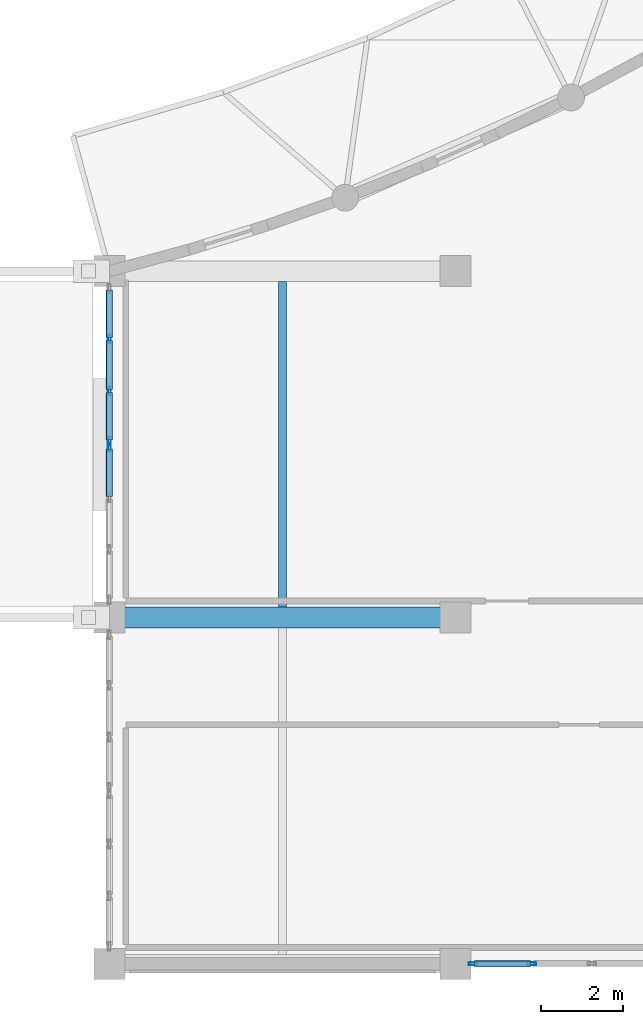
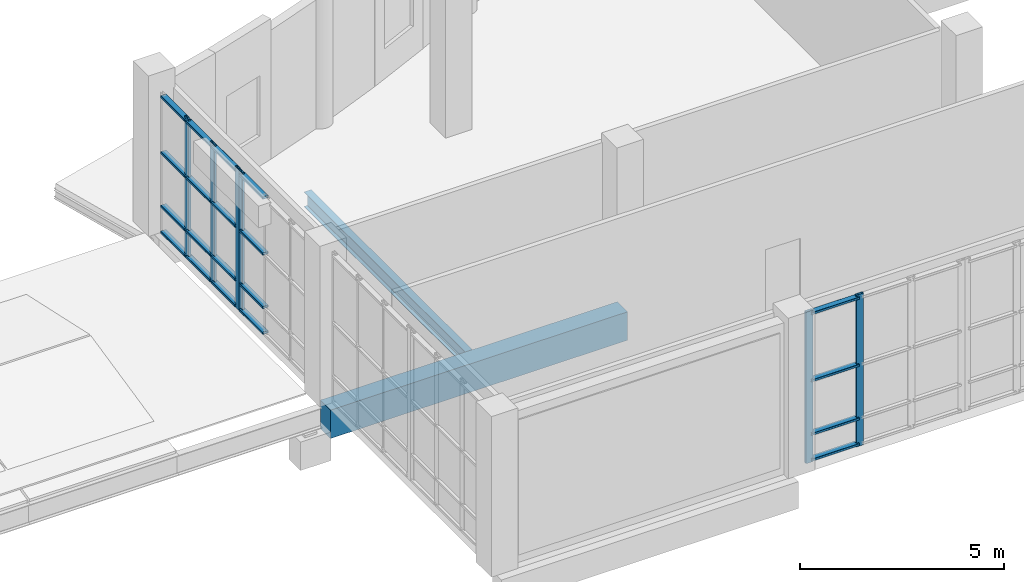
# One storey, part 20 of 106: 26 members, 2 beams, 3 elements without a shape of their own.
"""IFC4 building model written with IfcOpenShell, lengths in metres."""

from ifc_helpers import new_model, si_unit, direction, frame, origin, origin_2d, place, context, subcontext, project, spatial, rectangle, hollow_rectangle, i_section, extrude, material, layer, layer_set, material_profile, profile_set, type_object, element, aggregate, save


model = new_model("IFC4")

# Units and contexts
model_context = context("Model", 3, precision=1e-05, world=origin(), true_north=direction((0.0, 1.0)))
body_context = subcontext(model_context, "Body", "Model", "MODEL_VIEW")
ifc_project = project(units=[si_unit("LENGTHUNIT", "METRE"), si_unit("AREAUNIT", "SQUARE_METRE"), si_unit("VOLUMEUNIT", "CUBIC_METRE"), si_unit("PLANEANGLEUNIT", "RADIAN"), si_unit("MASSUNIT", "GRAM", prefix="KILO")], contexts=[model_context])

# Site, building, storey
site_placement = place(None, origin())
site = spatial("IfcSite", under=ifc_project, at=site_placement, CompositionType="ELEMENT")
building_placement = place(site_placement, origin())
building = spatial("IfcBuilding", under=site, at=building_placement, Name="Kisaragi Civic Commons", CompositionType="ELEMENT")
storey_placement = place(building_placement, frame((0.0, 0.0, 4.800048828125)))
storey = spatial("IfcBuildingStorey", under=building, at=storey_placement, Name="L01", CompositionType="ELEMENT", Elevation=4.800048828125)

# Curtain wall, members
ifc_material_1 = material(Name="Thermally broken anodized aluminium and low-E double glazing", Category="aluminium")
ifc_layer = layer(ifc_material_1, 0.2099609375, Name="Thermally broken anodized aluminium and low-E double glazing", Category="aluminium")
ifc_layer_set = layer_set([ifc_layer], Name="Thermally broken anodized aluminium and low-E double glazing")
curtain_wall_type = type_object("IfcCurtainWallType", Name="CW-02", PredefinedType="NOTDEFINED", material=ifc_layer_set)
curtain_wall_1_placement = place(storey_placement, origin())
curtain_wall_1 = element("IfcCurtainWall", 1, at=curtain_wall_1_placement, inside=storey, type_object=curtain_wall_type, Name="L01 curtain wall CW-02 CW-V3-L01-034", PredefinedType="NOTDEFINED")
ifc_material_profile_1 = material_profile(ifc_material_1, hollow_rectangle(XDim=0.070068359375, YDim=0.2099609375, WallThickness=0.0048828125, InnerFilletRadius=0.0048828125, OuterFilletRadius=0.010009765625, at=origin_2d()), Name="CWM-70x210x5", Category="aluminium")
ifc_profile_set_1 = profile_set([ifc_material_profile_1], Name="Thermally broken anodized aluminium and low-E double glazing")
member_type_1 = type_object("IfcMemberType", Name="CWM-03", PredefinedType="MULLION", material=ifc_profile_set_1)
member_1_placement = place(storey_placement, frame((115.8466796875, 0.0, 0.0), z_axis=(0.0, 0.0, 1.0), x_axis=(0.0, -1.0, 0.0)))
member_1 = element("IfcMember", 2, at=member_1_placement, type_object=member_type_1, Name="CW-02 mullion 3", PredefinedType="MULLION", context=body_context, shape_type="SweptSolid", body=[
    extrude(hollow_rectangle(XDim=0.070068359375, YDim=0.2099609375, WallThickness=0.0048828125, InnerFilletRadius=0.0048828125, OuterFilletRadius=0.010009765625, at=origin_2d()), origin(), (0.0, 0.0, 1.0), 4.5400390625),
])
member_2_placement = place(storey_placement, frame((114.425048828125, 0.0, 0.0), z_axis=(0.0, 0.0, 1.0), x_axis=(0.0, -1.0, 0.0)))
member_2 = element("IfcMember", 3, at=member_2_placement, type_object=member_type_1, Name="CW-02 mullion 4", PredefinedType="MULLION", context=body_context, shape_type="SweptSolid", body=[
    extrude(hollow_rectangle(XDim=0.070068359375, YDim=0.2099609375, WallThickness=0.0048828125, InnerFilletRadius=0.0048828125, OuterFilletRadius=0.010009765625, at=origin_2d()), origin(), (0.0, 0.0, 1.0), 4.5400390625),
])

# Curtain wall, member
curtain_wall_2_placement = place(storey_placement, origin())
curtain_wall_2 = element("IfcCurtainWall", 4, at=curtain_wall_2_placement, inside=storey, type_object=curtain_wall_type, Name="L01 curtain wall CW-02 CW-V3-L01-037", PredefinedType="NOTDEFINED")
member_3_placement = place(storey_placement, frame((105.60009765625, 12.52490234375, 0.0), z_axis=(0.0, 0.0, 1.0), x_axis=(-1.0, 0.0, 0.0)))
member_3 = element("IfcMember", 5, at=member_3_placement, type_object=member_type_1, Name="CW-02 mullion 4", PredefinedType="MULLION", context=body_context, shape_type="SweptSolid", body=[
    extrude(hollow_rectangle(XDim=0.070068359375, YDim=0.2099609375, WallThickness=0.0048828125, InnerFilletRadius=0.0048828125, OuterFilletRadius=0.010009765625, at=origin_2d()), origin(), (0.0, 0.0, 1.0), 4.204833984375),
])

# Curtain wall, members
curtain_wall_3_placement = place(storey_placement, origin())
curtain_wall_3 = element("IfcCurtainWall", 6, at=curtain_wall_3_placement, inside=storey, type_object=curtain_wall_type, Name="L01 curtain wall CW-02 CW-V3-L01-038", PredefinedType="NOTDEFINED")
member_4_placement = place(storey_placement, frame((105.60009765625, 12.675048828125, 0.0), z_axis=(0.0, 0.0, 1.0), x_axis=(-1.0, 0.0, 0.0)))
member_4 = element("IfcMember", 7, at=member_4_placement, type_object=member_type_1, Name="CW-02 mullion 1", PredefinedType="MULLION", context=body_context, shape_type="SweptSolid", body=[
    extrude(hollow_rectangle(XDim=0.070068359375, YDim=0.2099609375, WallThickness=0.0048828125, InnerFilletRadius=0.0048828125, OuterFilletRadius=0.010009765625, at=origin_2d()), origin(), (0.0, 0.0, 1.0), 4.204833984375),
])
member_5_placement = place(storey_placement, frame((105.60009765625, 13.896728515625, 0.0), z_axis=(0.0, 0.0, 1.0), x_axis=(-1.0, 0.0, 0.0)))
member_5 = element("IfcMember", 8, at=member_5_placement, type_object=member_type_1, Name="CW-02 mullion 2", PredefinedType="MULLION", context=body_context, shape_type="SweptSolid", body=[
    extrude(hollow_rectangle(XDim=0.070068359375, YDim=0.2099609375, WallThickness=0.0048828125, InnerFilletRadius=0.0048828125, OuterFilletRadius=0.010009765625, at=origin_2d()), origin(), (0.0, 0.0, 1.0), 4.204833984375),
])
member_6_placement = place(storey_placement, frame((105.60009765625, 15.1533203125, 0.0), z_axis=(0.0, 0.0, 1.0), x_axis=(-1.0, 0.0, 0.0)))
member_6 = element("IfcMember", 9, at=member_6_placement, type_object=member_type_1, Name="CW-02 mullion 3", PredefinedType="MULLION", context=body_context, shape_type="SweptSolid", body=[
    extrude(hollow_rectangle(XDim=0.070068359375, YDim=0.2099609375, WallThickness=0.0048828125, InnerFilletRadius=0.0048828125, OuterFilletRadius=0.010009765625, at=origin_2d()), origin(), (0.0, 0.0, 1.0), 4.204833984375),
])

# Member
ifc_material_profile_2 = material_profile(ifc_material_1, hollow_rectangle(XDim=0.159912109375, YDim=0.070068359375, WallThickness=0.0048828125, InnerFilletRadius=0.0048828125, OuterFilletRadius=0.010009765625, at=origin_2d()), Name="CWT-70x160x5", Category="aluminium")
ifc_profile_set_2 = profile_set([ifc_material_profile_2], Name="Thermally broken anodized aluminium and low-E double glazing")
member_type_2 = type_object("IfcMemberType", Name="CWT-03", PredefinedType="USERDEFINED", material=ifc_profile_set_2)
member_7_placement = place(storey_placement, frame((115.811767578125, 0.0, 0.079833984375), z_axis=(-1.0, 0.0, 0.0), x_axis=(0.0, -1.0, 0.0)))
member_7 = element("IfcMember", 10, at=member_7_placement, type_object=member_type_2, Name="CW-02 transom 3.1", ObjectType="TRANSOM", PredefinedType="USERDEFINED", context=body_context, shape_type="SweptSolid", body=[
    extrude(hollow_rectangle(XDim=0.159912109375, YDim=0.070068359375, WallThickness=0.0048828125, InnerFilletRadius=0.0048828125, OuterFilletRadius=0.010009765625, at=origin_2d()), origin(), (0.0, 0.0, 1.0), 1.351806640625),
])

member_8_placement = place(storey_placement, frame((115.811767578125, 0.0, 0.849853515625), z_axis=(-1.0, 0.0, 0.0), x_axis=(0.0, -1.0, 0.0)))
member_8 = element("IfcMember", 11, at=member_8_placement, type_object=member_type_2, Name="CW-02 transom 3.2", ObjectType="TRANSOM", PredefinedType="USERDEFINED", context=body_context, shape_type="SweptSolid", body=[
    extrude(hollow_rectangle(XDim=0.159912109375, YDim=0.070068359375, WallThickness=0.0048828125, InnerFilletRadius=0.0048828125, OuterFilletRadius=0.010009765625, at=origin_2d()), origin(), (0.0, 0.0, 1.0), 1.351806640625),
])

member_9_placement = place(storey_placement, frame((115.811767578125, 0.0, 2.449951171875), z_axis=(-1.0, 0.0, 0.0), x_axis=(0.0, -1.0, 0.0)))
member_9 = element("IfcMember", 12, at=member_9_placement, type_object=member_type_2, Name="CW-02 transom 3.3", ObjectType="TRANSOM", PredefinedType="USERDEFINED", context=body_context, shape_type="SweptSolid", body=[
    extrude(hollow_rectangle(XDim=0.159912109375, YDim=0.070068359375, WallThickness=0.0048828125, InnerFilletRadius=0.0048828125, OuterFilletRadius=0.010009765625, at=origin_2d()), origin(), (0.0, 0.0, 1.0), 1.351806640625),
])

member_10_placement = place(storey_placement, frame((115.811767578125, 0.0, 4.4599609375), z_axis=(-1.0, 0.0, 0.0), x_axis=(0.0, -1.0, 0.0)))
member_10 = element("IfcMember", 13, at=member_10_placement, type_object=member_type_2, Name="CW-02 transom 3.4", ObjectType="TRANSOM", PredefinedType="USERDEFINED", context=body_context, shape_type="SweptSolid", body=[
    extrude(hollow_rectangle(XDim=0.159912109375, YDim=0.070068359375, WallThickness=0.0048828125, InnerFilletRadius=0.0048828125, OuterFilletRadius=0.010009765625, at=origin_2d()), origin(), (0.0, 0.0, 1.0), 1.351806640625),
])

aggregate(curtain_wall_1, [member_1, member_2, member_7, member_8, member_9, member_10])

member_11_placement = place(storey_placement, frame((105.60009765625, 11.33837890625, 0.079833984375), z_axis=(0.0, 1.0, 0.0), x_axis=(-1.0, 0.0, 0.0)))
member_11 = element("IfcMember", 14, at=member_11_placement, type_object=member_type_2, Name="CW-02 transom 3.1", ObjectType="TRANSOM", PredefinedType="USERDEFINED", context=body_context, shape_type="SweptSolid", body=[
    extrude(hollow_rectangle(XDim=0.159912109375, YDim=0.070068359375, WallThickness=0.0048828125, InnerFilletRadius=0.0048828125, OuterFilletRadius=0.010009765625, at=origin_2d()), origin(), (0.0, 0.0, 1.0), 1.151611328125),
])

member_12_placement = place(storey_placement, frame((105.60009765625, 11.33837890625, 0.849853515625), z_axis=(0.0, 1.0, 0.0), x_axis=(-1.0, 0.0, 0.0)))
member_12 = element("IfcMember", 15, at=member_12_placement, type_object=member_type_2, Name="CW-02 transom 3.2", ObjectType="TRANSOM", PredefinedType="USERDEFINED", context=body_context, shape_type="SweptSolid", body=[
    extrude(hollow_rectangle(XDim=0.159912109375, YDim=0.070068359375, WallThickness=0.0048828125, InnerFilletRadius=0.0048828125, OuterFilletRadius=0.010009765625, at=origin_2d()), origin(), (0.0, 0.0, 1.0), 1.151611328125),
])

member_13_placement = place(storey_placement, frame((105.60009765625, 11.33837890625, 2.449951171875), z_axis=(0.0, 1.0, 0.0), x_axis=(-1.0, 0.0, 0.0)))
member_13 = element("IfcMember", 16, at=member_13_placement, type_object=member_type_2, Name="CW-02 transom 3.3", ObjectType="TRANSOM", PredefinedType="USERDEFINED", context=body_context, shape_type="SweptSolid", body=[
    extrude(hollow_rectangle(XDim=0.159912109375, YDim=0.070068359375, WallThickness=0.0048828125, InnerFilletRadius=0.0048828125, OuterFilletRadius=0.010009765625, at=origin_2d()), origin(), (0.0, 0.0, 1.0), 1.151611328125),
])

member_14_placement = place(storey_placement, frame((105.60009765625, 11.33837890625, 4.125), z_axis=(0.0, 1.0, 0.0), x_axis=(-1.0, 0.0, 0.0)))
member_14 = element("IfcMember", 17, at=member_14_placement, type_object=member_type_2, Name="CW-02 transom 3.4", ObjectType="TRANSOM", PredefinedType="USERDEFINED", context=body_context, shape_type="SweptSolid", body=[
    extrude(hollow_rectangle(XDim=0.159912109375, YDim=0.070068359375, WallThickness=0.0048828125, InnerFilletRadius=0.0048828125, OuterFilletRadius=0.010009765625, at=origin_2d()), origin(), (0.0, 0.0, 1.0), 1.151611328125),
])

aggregate(curtain_wall_2, [member_3, member_11, member_12, member_13, member_14])

member_15_placement = place(storey_placement, frame((105.60009765625, 12.7099609375, 0.079833984375), z_axis=(0.0, 1.0, 0.0), x_axis=(-1.0, 0.0, 0.0)))
member_15 = element("IfcMember", 18, at=member_15_placement, type_object=member_type_2, Name="CW-02 transom 1.1", ObjectType="TRANSOM", PredefinedType="USERDEFINED", context=body_context, shape_type="SweptSolid", body=[
    extrude(hollow_rectangle(XDim=0.159912109375, YDim=0.070068359375, WallThickness=0.0048828125, InnerFilletRadius=0.0048828125, OuterFilletRadius=0.010009765625, at=origin_2d()), origin(), (0.0, 0.0, 1.0), 1.151611328125),
])

member_16_placement = place(storey_placement, frame((105.60009765625, 12.7099609375, 0.849853515625), z_axis=(0.0, 1.0, 0.0), x_axis=(-1.0, 0.0, 0.0)))
member_16 = element("IfcMember", 19, at=member_16_placement, type_object=member_type_2, Name="CW-02 transom 1.2", ObjectType="TRANSOM", PredefinedType="USERDEFINED", context=body_context, shape_type="SweptSolid", body=[
    extrude(hollow_rectangle(XDim=0.159912109375, YDim=0.070068359375, WallThickness=0.0048828125, InnerFilletRadius=0.0048828125, OuterFilletRadius=0.010009765625, at=origin_2d()), origin(), (0.0, 0.0, 1.0), 1.151611328125),
])

member_17_placement = place(storey_placement, frame((105.60009765625, 12.7099609375, 2.449951171875), z_axis=(0.0, 1.0, 0.0), x_axis=(-1.0, 0.0, 0.0)))
member_17 = element("IfcMember", 20, at=member_17_placement, type_object=member_type_2, Name="CW-02 transom 1.3", ObjectType="TRANSOM", PredefinedType="USERDEFINED", context=body_context, shape_type="SweptSolid", body=[
    extrude(hollow_rectangle(XDim=0.159912109375, YDim=0.070068359375, WallThickness=0.0048828125, InnerFilletRadius=0.0048828125, OuterFilletRadius=0.010009765625, at=origin_2d()), origin(), (0.0, 0.0, 1.0), 1.151611328125),
])

member_18_placement = place(storey_placement, frame((105.60009765625, 12.7099609375, 4.125), z_axis=(0.0, 1.0, 0.0), x_axis=(-1.0, 0.0, 0.0)))
member_18 = element("IfcMember", 21, at=member_18_placement, type_object=member_type_2, Name="CW-02 transom 1.4", ObjectType="TRANSOM", PredefinedType="USERDEFINED", context=body_context, shape_type="SweptSolid", body=[
    extrude(hollow_rectangle(XDim=0.159912109375, YDim=0.070068359375, WallThickness=0.0048828125, InnerFilletRadius=0.0048828125, OuterFilletRadius=0.010009765625, at=origin_2d()), origin(), (0.0, 0.0, 1.0), 1.151611328125),
])

member_19_placement = place(storey_placement, frame((105.60009765625, 13.931640625, 0.079833984375), z_axis=(0.0, 1.0, 0.0), x_axis=(-1.0, 0.0, 0.0)))
member_19 = element("IfcMember", 22, at=member_19_placement, type_object=member_type_2, Name="CW-02 transom 2.1", ObjectType="TRANSOM", PredefinedType="USERDEFINED", context=body_context, shape_type="SweptSolid", body=[
    extrude(hollow_rectangle(XDim=0.159912109375, YDim=0.070068359375, WallThickness=0.0048828125, InnerFilletRadius=0.0048828125, OuterFilletRadius=0.010009765625, at=origin_2d()), origin(), (0.0, 0.0, 1.0), 1.186767578125),
])

member_20_placement = place(storey_placement, frame((105.60009765625, 13.931640625, 0.849853515625), z_axis=(0.0, 1.0, 0.0), x_axis=(-1.0, 0.0, 0.0)))
member_20 = element("IfcMember", 23, at=member_20_placement, type_object=member_type_2, Name="CW-02 transom 2.2", ObjectType="TRANSOM", PredefinedType="USERDEFINED", context=body_context, shape_type="SweptSolid", body=[
    extrude(hollow_rectangle(XDim=0.159912109375, YDim=0.070068359375, WallThickness=0.0048828125, InnerFilletRadius=0.0048828125, OuterFilletRadius=0.010009765625, at=origin_2d()), origin(), (0.0, 0.0, 1.0), 1.186767578125),
])

member_21_placement = place(storey_placement, frame((105.60009765625, 13.931640625, 2.449951171875), z_axis=(0.0, 1.0, 0.0), x_axis=(-1.0, 0.0, 0.0)))
member_21 = element("IfcMember", 24, at=member_21_placement, type_object=member_type_2, Name="CW-02 transom 2.3", ObjectType="TRANSOM", PredefinedType="USERDEFINED", context=body_context, shape_type="SweptSolid", body=[
    extrude(hollow_rectangle(XDim=0.159912109375, YDim=0.070068359375, WallThickness=0.0048828125, InnerFilletRadius=0.0048828125, OuterFilletRadius=0.010009765625, at=origin_2d()), origin(), (0.0, 0.0, 1.0), 1.186767578125),
])

member_22_placement = place(storey_placement, frame((105.60009765625, 13.931640625, 4.125), z_axis=(0.0, 1.0, 0.0), x_axis=(-1.0, 0.0, 0.0)))
member_22 = element("IfcMember", 25, at=member_22_placement, type_object=member_type_2, Name="CW-02 transom 2.4", ObjectType="TRANSOM", PredefinedType="USERDEFINED", context=body_context, shape_type="SweptSolid", body=[
    extrude(hollow_rectangle(XDim=0.159912109375, YDim=0.070068359375, WallThickness=0.0048828125, InnerFilletRadius=0.0048828125, OuterFilletRadius=0.010009765625, at=origin_2d()), origin(), (0.0, 0.0, 1.0), 1.186767578125),
])

member_23_placement = place(storey_placement, frame((105.60009765625, 15.188232421875, 0.079833984375), z_axis=(0.0, 1.0, 0.0), x_axis=(-1.0, 0.0, 0.0)))
member_23 = element("IfcMember", 26, at=member_23_placement, type_object=member_type_2, Name="CW-02 transom 3.1", ObjectType="TRANSOM", PredefinedType="USERDEFINED", context=body_context, shape_type="SweptSolid", body=[
    extrude(hollow_rectangle(XDim=0.159912109375, YDim=0.070068359375, WallThickness=0.0048828125, InnerFilletRadius=0.0048828125, OuterFilletRadius=0.010009765625, at=origin_2d()), origin(), (0.0, 0.0, 1.0), 1.15185546875),
])

member_24_placement = place(storey_placement, frame((105.60009765625, 15.188232421875, 0.849853515625), z_axis=(0.0, 1.0, 0.0), x_axis=(-1.0, 0.0, 0.0)))
member_24 = element("IfcMember", 27, at=member_24_placement, type_object=member_type_2, Name="CW-02 transom 3.2", ObjectType="TRANSOM", PredefinedType="USERDEFINED", context=body_context, shape_type="SweptSolid", body=[
    extrude(hollow_rectangle(XDim=0.159912109375, YDim=0.070068359375, WallThickness=0.0048828125, InnerFilletRadius=0.0048828125, OuterFilletRadius=0.010009765625, at=origin_2d()), origin(), (0.0, 0.0, 1.0), 1.15185546875),
])

member_25_placement = place(storey_placement, frame((105.60009765625, 15.188232421875, 2.449951171875), z_axis=(0.0, 1.0, 0.0), x_axis=(-1.0, 0.0, 0.0)))
member_25 = element("IfcMember", 28, at=member_25_placement, type_object=member_type_2, Name="CW-02 transom 3.3", ObjectType="TRANSOM", PredefinedType="USERDEFINED", context=body_context, shape_type="SweptSolid", body=[
    extrude(hollow_rectangle(XDim=0.159912109375, YDim=0.070068359375, WallThickness=0.0048828125, InnerFilletRadius=0.0048828125, OuterFilletRadius=0.010009765625, at=origin_2d()), origin(), (0.0, 0.0, 1.0), 1.15185546875),
])

member_26_placement = place(storey_placement, frame((105.60009765625, 15.188232421875, 4.125), z_axis=(0.0, 1.0, 0.0), x_axis=(-1.0, 0.0, 0.0)))
member_26 = element("IfcMember", 29, at=member_26_placement, type_object=member_type_2, Name="CW-02 transom 3.4", ObjectType="TRANSOM", PredefinedType="USERDEFINED", context=body_context, shape_type="SweptSolid", body=[
    extrude(hollow_rectangle(XDim=0.159912109375, YDim=0.070068359375, WallThickness=0.0048828125, InnerFilletRadius=0.0048828125, OuterFilletRadius=0.010009765625, at=origin_2d()), origin(), (0.0, 0.0, 1.0), 1.15185546875),
])

aggregate(curtain_wall_3, [member_4, member_5, member_6, member_15, member_16, member_17, member_18, member_19, member_20, member_21, member_22, member_23, member_24, member_25, member_26])

# Beams
ifc_material_2 = material(Name="Concrete Fc30", Category="concrete")
ifc_material_profile_3 = material_profile(ifc_material_2, rectangle(XDim=0.5, YDim=0.85009765625, at=origin_2d()), Name="RC-500x850", Category="concrete")
ifc_profile_set_3 = profile_set([ifc_material_profile_3], Name="Concrete Fc30")
beam_type_1 = type_object("IfcBeamType", Name="G-02", PredefinedType="BEAM", material=ifc_profile_set_3)
beam_1_placement = place(storey_placement, frame((105.60009765625, 8.39990234375, -0.72998046875), z_axis=(1.0, 0.0, 0.0), x_axis=(0.0, 1.0, 0.0)))
element("IfcBeam", 30, at=beam_1_placement, inside=storey, type_object=beam_type_1, Name="L01 girder G-02 207", PredefinedType="BEAM", context=body_context, shape_type="SweptSolid", body=[
    extrude(rectangle(XDim=0.5, YDim=0.85009765625, at=origin_2d()), origin(), (0.0, 0.0, 1.0), 8.39990234375),
])
ifc_material_3 = material(Name="Steel SN490 (SN490B)", Category="steel")
ifc_material_profile_4 = material_profile(ifc_material_3, i_section(OverallWidth=0.199951171875, OverallDepth=0.449951171875, WebThickness=0.009033203125, FlangeThickness=0.013916015625, FilletRadius=0.012939453125, at=origin_2d()), Name="H-450x200x9x14", Category="steel")
ifc_profile_set_4 = profile_set([ifc_material_profile_4], Name="Steel SN490 (SN490B)")
beam_type_2 = type_object("IfcBeamType", Name="J-04", PredefinedType="JOIST", material=ifc_profile_set_4)
beam_2_placement = place(storey_placement, frame((109.800048828125, 8.64990234375, -0.530029296875), z_axis=(0.0, 1.0, 0.0), x_axis=(-1.0, 0.0, 0.0)))
element("IfcBeam", 31, at=beam_2_placement, inside=storey, type_object=beam_type_2, Name="L01 secondary steel joist J-04 44", PredefinedType="JOIST", context=body_context, shape_type="SweptSolid", body=[
    extrude(i_section(OverallWidth=0.199951171875, OverallDepth=0.449951171875, WebThickness=0.009033203125, FlangeThickness=0.013916015625, FilletRadius=0.012939453125, at=origin_2d()), origin(), (0.0, 0.0, 1.0), 7.900146484375),
])

save(model, "model.ifc")
